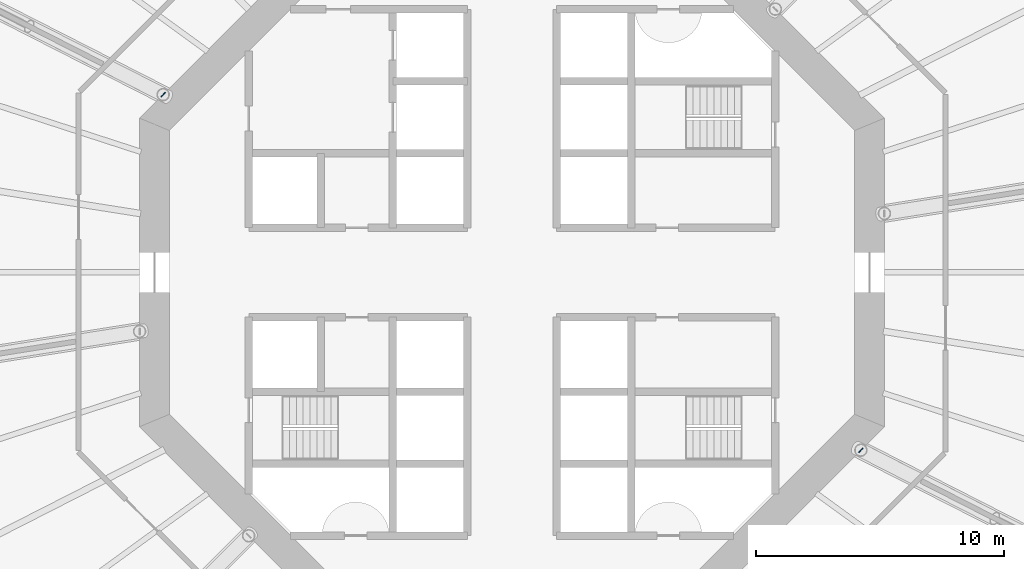
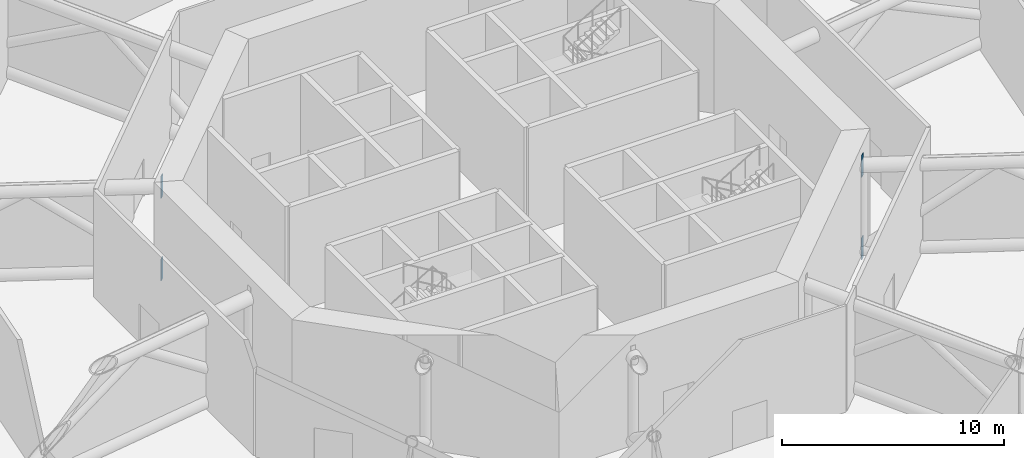
# One storey, part 11 of 18: 4 discrete accessories.
"""IFC4 building model written with IfcOpenShell, lengths in metres."""

from ifc_helpers import new_model, si_unit, direction, frame, origin, origin_2d, place, context, subcontext, project, spatial, rectangle, extrude, material, element, save


model = new_model("IFC4")

# Units and contexts
model_context = context("Model", 3, precision=1e-05, world=origin(), true_north=direction((0.0, 1.0)))
body_context = subcontext(model_context, "Body", "Model", "MODEL_VIEW")
ifc_project = project(units=[si_unit("LENGTHUNIT", "METRE"), si_unit("AREAUNIT", "SQUARE_METRE"), si_unit("VOLUMEUNIT", "CUBIC_METRE"), si_unit("PLANEANGLEUNIT", "RADIAN"), si_unit("MASSUNIT", "GRAM", prefix="KILO")], contexts=[model_context])

# Site, building, storey
site_placement = place(None, origin())
site = spatial("IfcSite", under=ifc_project, at=site_placement, CompositionType="ELEMENT")
building_placement = place(site_placement, origin())
building = spatial("IfcBuilding", under=site, at=building_placement, Name="Entoto Ring Tower", CompositionType="ELEMENT")
storey_placement = place(building_placement, frame((0.0, 0.0, 138.0)))
storey = spatial("IfcBuildingStorey", under=building, at=storey_placement, Name="L31", CompositionType="ELEMENT", Elevation=138.0)

# Discrete accessories
ifc_material = material(Name="Steel S355", Category="steel")
for number, where, z_axis, x_axis, name in (
    (1, (75.947021484375, 87.160400390625, -0.24462890625), (0.0, 0.0, 1.0), (-0.707106781187, 0.707106781187, 0.0), "Embedded plate L31 bottom 05"),
    (2, (75.947021484375, 87.160400390625, 4.29443359375), (0.0, 0.0, 1.0), (-0.707106781187, 0.707106781187, 0.0), "Embedded plate L31 top 05"),
    (3, (104.052978515625, 72.839599609375, -0.24462890625), (0.0, 0.0, 1.0), (0.707106781187, -0.707106781187, 0.0), "Embedded plate L31 bottom 10"),
    (4, (104.052978515625, 72.839599609375, 4.29443359375), (0.0, 0.0, 1.0), (0.707106781187, -0.707106781187, 0.0), "Embedded plate L31 top 10"),
):
    element("IfcDiscreteAccessory", number, at=place(storey_placement, frame(where, z_axis=z_axis, x_axis=x_axis)), inside=storey, material=ifc_material, Name=name, PredefinedType="ANCHORPLATE", context=body_context, shape_type="SweptSolid", body=[
        extrude(rectangle(XDim=0.0400390625, YDim=0.25, at=origin_2d()), origin(), (0.0, 0.0, 1.0), 1.199951171875),
    ])

save(model, "model.ifc")
